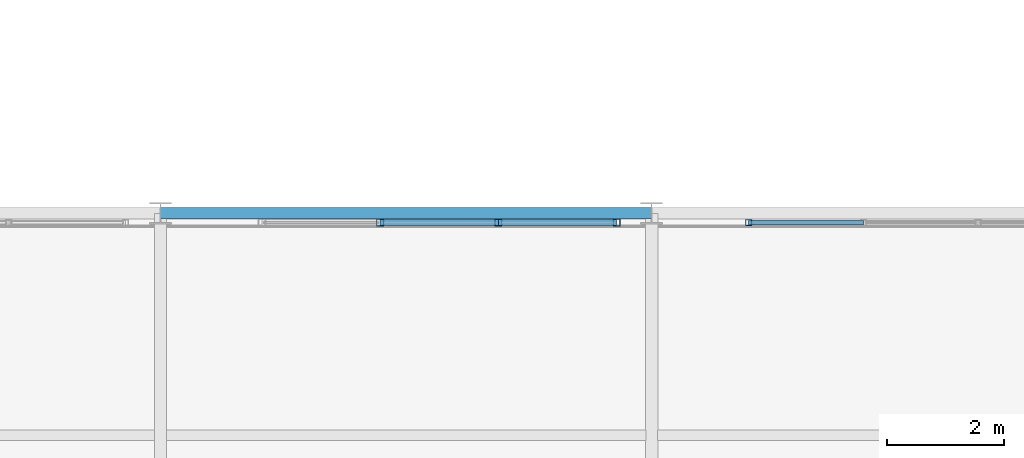
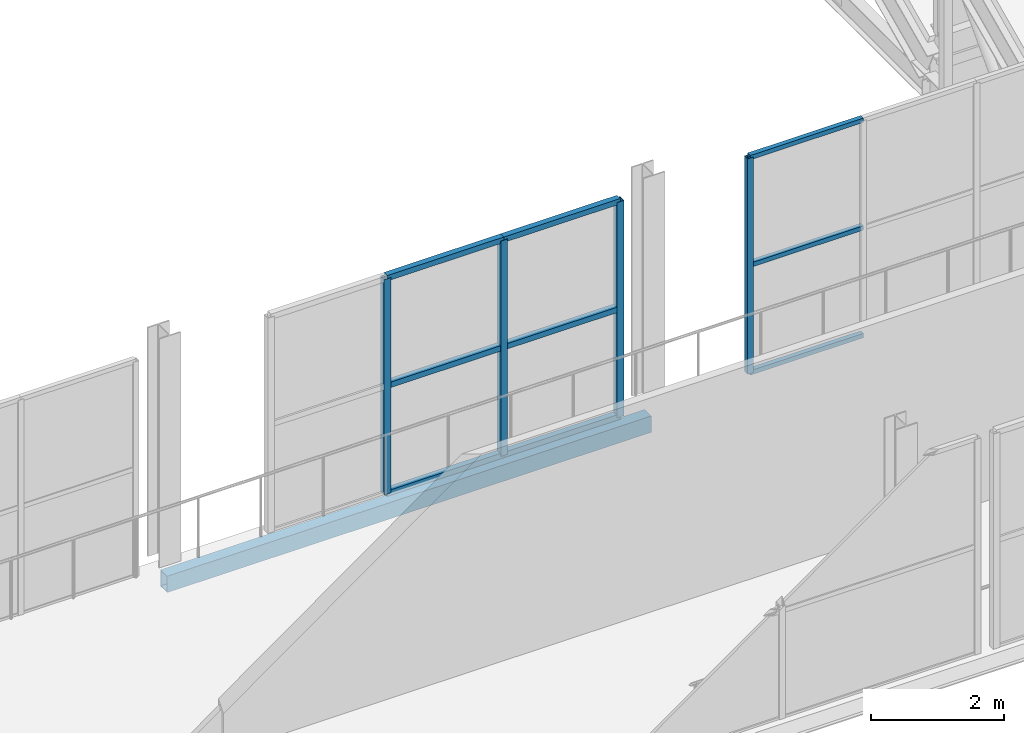
# One storey, part 64 of 217: 13 members, 1 beam, 2 elements without a shape of their own.
"""IFC4 building model written with IfcOpenShell, lengths in metres."""

from ifc_helpers import new_model, si_unit, direction, frame, origin, origin_2d, place, context, subcontext, project, spatial, hollow_rectangle, extrude, material, material_profile, profile_set, type_object, element, aggregate, save


model = new_model("IFC4")

# Units and contexts
model_context = context("Model", 3, precision=1e-05, world=origin(), true_north=direction((0.0, 1.0)))
body_context = subcontext(model_context, "Body", "Model", "MODEL_VIEW")
ifc_project = project(units=[si_unit("LENGTHUNIT", "METRE"), si_unit("AREAUNIT", "SQUARE_METRE"), si_unit("VOLUMEUNIT", "CUBIC_METRE"), si_unit("PLANEANGLEUNIT", "RADIAN"), si_unit("MASSUNIT", "GRAM", prefix="KILO")], contexts=[model_context])

# Site, building, storey
site_placement = place(None, origin())
site = spatial("IfcSite", under=ifc_project, at=site_placement, CompositionType="ELEMENT")
building_placement = place(site_placement, origin())
building = spatial("IfcBuilding", under=site, at=building_placement, Name="Zuvorla Pavilion Media Centre", CompositionType="ELEMENT")
storey_placement = place(building_placement, frame((0.0, 0.0, 9.60009765625)))
storey = spatial("IfcBuildingStorey", under=building, at=storey_placement, Name="L02", CompositionType="ELEMENT", Elevation=9.60009765625)

# Beam
ifc_material_1 = material(Name="Steel S355", Category="steel")
ifc_material_profile_1 = material_profile(ifc_material_1, hollow_rectangle(XDim=0.199951171875, YDim=0.300048828125, WallThickness=0.012451171875, at=origin_2d()), Name="RHS 300x200x12.5")
ifc_profile_set_1 = profile_set([ifc_material_profile_1], Name="Steel S355")
beam_type = type_object("IfcBeamType", Name="BM-SP-RHS300", PredefinedType="SPANDREL", material=ifc_profile_set_1)
beam_placement = place(storey_placement, frame((50.0, 89.60009765625, -0.418212890625), z_axis=(1.0, 0.0, 0.0), x_axis=(0.0, 1.0, 0.0)))
element("IfcBeam", 1, at=beam_placement, inside=storey, type_object=beam_type, Name="L02 spandrel SP01 879", PredefinedType="SPANDREL", context=body_context, shape_type="SweptSolid", body=[
    extrude(hollow_rectangle(XDim=0.199951171875, YDim=0.300048828125, WallThickness=0.012451171875, at=origin_2d()), origin(), (0.0, 0.0, 1.0), 8.39990234375),
])

# Curtain wall, member
ifc_material_2 = material(Name="Unitised anodised aluminium and solar glass curtain wall", Category="aluminium")
curtain_wall_type_1 = type_object("IfcCurtainWallType", Name="CW-SYS-17", PredefinedType="USERDEFINED", material=ifc_material_2)
curtain_wall_1_placement = place(storey_placement, origin())
curtain_wall_1 = element("IfcCurtainWall", 2, at=curtain_wall_1_placement, inside=storey, type_object=curtain_wall_type_1, Name="L02 curtain wall CW17 22", ObjectType="CURTAIN WALL", PredefinedType="USERDEFINED")
ifc_material_3 = material(Name="Anodised aluminium 6063-T6", Category="aluminium")
ifc_material_profile_2 = material_profile(ifc_material_3, hollow_rectangle(XDim=0.10009765625, YDim=0.10009765625, WallThickness=0.00439453125, at=origin_2d()), Name="ALU MULL 100x100")
ifc_profile_set_2 = profile_set([ifc_material_profile_2], Name="Anodised aluminium 6063-T6")
member_type_1 = type_object("IfcMemberType", Name="CW-MULL-100", PredefinedType="MULLION", material=ifc_profile_set_2)
member_1_placement = place(storey_placement, frame((60.06005859375, 89.43994140625, 0.0), z_axis=(0.0, 0.0, 1.0), x_axis=(1.0, 0.0, 0.0)))
member_1 = element("IfcMember", 3, at=member_1_placement, type_object=member_type_1, Name="CW17 mullion 4", PredefinedType="MULLION", context=body_context, shape_type="SweptSolid", body=[
    extrude(hollow_rectangle(XDim=0.10009765625, YDim=0.10009765625, WallThickness=0.00439453125, at=origin_2d()), origin(), (0.0, 0.0, 1.0), 3.949951171875),
])

# Curtain wall, members
curtain_wall_type_2 = type_object("IfcCurtainWallType", Name="CW-SYS-15", PredefinedType="USERDEFINED", material=ifc_material_2)
curtain_wall_2_placement = place(storey_placement, origin())
curtain_wall_2 = element("IfcCurtainWall", 4, at=curtain_wall_2_placement, inside=storey, type_object=curtain_wall_type_2, Name="L02 curtain wall CW15 23", ObjectType="CURTAIN WALL", PredefinedType="USERDEFINED")
ifc_material_profile_3 = material_profile(ifc_material_3, hollow_rectangle(XDim=0.1201171875, YDim=0.1201171875, WallThickness=0.0048828125, at=origin_2d()), Name="ALU MULL 120x120")
ifc_profile_set_3 = profile_set([ifc_material_profile_3], Name="Anodised aluminium 6063-T6")
member_type_2 = type_object("IfcMemberType", Name="CW-MULL-120", PredefinedType="MULLION", material=ifc_profile_set_3)
member_2_placement = place(storey_placement, frame((57.7998046875, 89.43994140625, 0.0), z_axis=(0.0, 0.0, 1.0), x_axis=(1.0, 0.0, 0.0)))
member_2 = element("IfcMember", 5, at=member_2_placement, type_object=member_type_2, Name="CW15 mullion 1", PredefinedType="MULLION", context=body_context, shape_type="SweptSolid", body=[
    extrude(hollow_rectangle(XDim=0.1201171875, YDim=0.1201171875, WallThickness=0.0048828125, at=origin_2d()), origin(), (0.0, 0.0, 1.0), 3.949951171875),
])
member_3_placement = place(storey_placement, frame((55.7783203125, 89.43994140625, 0.0), z_axis=(0.0, 0.0, 1.0), x_axis=(1.0, 0.0, 0.0)))
member_3 = element("IfcMember", 6, at=member_3_placement, type_object=member_type_2, Name="CW15 mullion 2", PredefinedType="MULLION", context=body_context, shape_type="SweptSolid", body=[
    extrude(hollow_rectangle(XDim=0.1201171875, YDim=0.1201171875, WallThickness=0.0048828125, at=origin_2d()), origin(), (0.0, 0.0, 1.0), 3.949951171875),
])
member_4_placement = place(storey_placement, frame((53.756591796875, 89.43994140625, 0.0), z_axis=(0.0, 0.0, 1.0), x_axis=(1.0, 0.0, 0.0)))
member_4 = element("IfcMember", 7, at=member_4_placement, type_object=member_type_2, Name="CW15 mullion 3", PredefinedType="MULLION", context=body_context, shape_type="SweptSolid", body=[
    extrude(hollow_rectangle(XDim=0.1201171875, YDim=0.1201171875, WallThickness=0.0048828125, at=origin_2d()), origin(), (0.0, 0.0, 1.0), 3.949951171875),
])
ifc_material_profile_4 = material_profile(ifc_material_3, hollow_rectangle(XDim=0.10009765625, YDim=0.10009765625, WallThickness=0.00439453125, at=origin_2d()), Name="ALU TRAN 100x100")
ifc_profile_set_4 = profile_set([ifc_material_profile_4], Name="Anodised aluminium 6063-T6")
member_type_3 = type_object("IfcMemberType", Name="CW-TRAN-100", PredefinedType="USERDEFINED", material=ifc_profile_set_4)
member_5_placement = place(storey_placement, frame((57.7998046875, 89.43994140625, 0.0), z_axis=(-1.0, 0.0, 0.0), x_axis=(0.0, -1.0, 0.0)))
member_5 = element("IfcMember", 8, at=member_5_placement, type_object=member_type_3, Name="CW15 transom 1.1", ObjectType="TRANSOM", PredefinedType="USERDEFINED", context=body_context, shape_type="SweptSolid", body=[
    extrude(hollow_rectangle(XDim=0.10009765625, YDim=0.10009765625, WallThickness=0.00439453125, at=origin_2d()), origin(), (0.0, 0.0, 1.0), 2.021484375),
])
member_6_placement = place(storey_placement, frame((57.7998046875, 89.43994140625, 1.974853515625), z_axis=(-1.0, 0.0, 0.0), x_axis=(0.0, -1.0, 0.0)))
member_6 = element("IfcMember", 9, at=member_6_placement, type_object=member_type_3, Name="CW15 transom 1.2", ObjectType="TRANSOM", PredefinedType="USERDEFINED", context=body_context, shape_type="SweptSolid", body=[
    extrude(hollow_rectangle(XDim=0.10009765625, YDim=0.10009765625, WallThickness=0.00439453125, at=origin_2d()), origin(), (0.0, 0.0, 1.0), 2.021484375),
])
member_7_placement = place(storey_placement, frame((57.7998046875, 89.43994140625, 3.949951171875), z_axis=(-1.0, 0.0, 0.0), x_axis=(0.0, -1.0, 0.0)))
member_7 = element("IfcMember", 10, at=member_7_placement, type_object=member_type_3, Name="CW15 transom 1.3", ObjectType="TRANSOM", PredefinedType="USERDEFINED", context=body_context, shape_type="SweptSolid", body=[
    extrude(hollow_rectangle(XDim=0.10009765625, YDim=0.10009765625, WallThickness=0.00439453125, at=origin_2d()), origin(), (0.0, 0.0, 1.0), 2.021484375),
])
member_8_placement = place(storey_placement, frame((55.7783203125, 89.43994140625, 0.0), z_axis=(-1.0, 0.0, 0.0), x_axis=(0.0, -1.0, 0.0)))
member_8 = element("IfcMember", 11, at=member_8_placement, type_object=member_type_3, Name="CW15 transom 2.1", ObjectType="TRANSOM", PredefinedType="USERDEFINED", context=body_context, shape_type="SweptSolid", body=[
    extrude(hollow_rectangle(XDim=0.10009765625, YDim=0.10009765625, WallThickness=0.00439453125, at=origin_2d()), origin(), (0.0, 0.0, 1.0), 2.021728515625),
])
member_9_placement = place(storey_placement, frame((55.7783203125, 89.43994140625, 1.974853515625), z_axis=(-1.0, 0.0, 0.0), x_axis=(0.0, -1.0, 0.0)))
member_9 = element("IfcMember", 12, at=member_9_placement, type_object=member_type_3, Name="CW15 transom 2.2", ObjectType="TRANSOM", PredefinedType="USERDEFINED", context=body_context, shape_type="SweptSolid", body=[
    extrude(hollow_rectangle(XDim=0.10009765625, YDim=0.10009765625, WallThickness=0.00439453125, at=origin_2d()), origin(), (0.0, 0.0, 1.0), 2.021728515625),
])
member_10_placement = place(storey_placement, frame((55.7783203125, 89.43994140625, 3.949951171875), z_axis=(-1.0, 0.0, 0.0), x_axis=(0.0, -1.0, 0.0)))
member_10 = element("IfcMember", 13, at=member_10_placement, type_object=member_type_3, Name="CW15 transom 2.3", ObjectType="TRANSOM", PredefinedType="USERDEFINED", context=body_context, shape_type="SweptSolid", body=[
    extrude(hollow_rectangle(XDim=0.10009765625, YDim=0.10009765625, WallThickness=0.00439453125, at=origin_2d()), origin(), (0.0, 0.0, 1.0), 2.021728515625),
])
aggregate(curtain_wall_2, [member_2, member_3, member_4, member_5, member_6, member_7, member_8, member_9, member_10])

# Member
ifc_material_profile_5 = material_profile(ifc_material_3, hollow_rectangle(XDim=0.080078125, YDim=0.080078125, WallThickness=0.00390625, at=origin_2d()), Name="ALU TRAN 80x80")
ifc_profile_set_5 = profile_set([ifc_material_profile_5], Name="Anodised aluminium 6063-T6")
member_type_4 = type_object("IfcMemberType", Name="CW-TRAN-80", PredefinedType="USERDEFINED", material=ifc_profile_set_5)
member_11_placement = place(storey_placement, frame((62.023193359375, 89.43994140625, 0.0), z_axis=(-1.0, 0.0, 0.0), x_axis=(0.0, -1.0, 0.0)))
member_11 = element("IfcMember", 14, at=member_11_placement, type_object=member_type_4, Name="CW17 transom 3.1", ObjectType="TRANSOM", PredefinedType="USERDEFINED", context=body_context, shape_type="SweptSolid", body=[
    extrude(hollow_rectangle(XDim=0.080078125, YDim=0.080078125, WallThickness=0.00390625, at=origin_2d()), origin(), (0.0, 0.0, 1.0), 1.963134765625),
])

member_12_placement = place(storey_placement, frame((62.023193359375, 89.43994140625, 1.974853515625), z_axis=(-1.0, 0.0, 0.0), x_axis=(0.0, -1.0, 0.0)))
member_12 = element("IfcMember", 15, at=member_12_placement, type_object=member_type_4, Name="CW17 transom 3.2", ObjectType="TRANSOM", PredefinedType="USERDEFINED", context=body_context, shape_type="SweptSolid", body=[
    extrude(hollow_rectangle(XDim=0.080078125, YDim=0.080078125, WallThickness=0.00390625, at=origin_2d()), origin(), (0.0, 0.0, 1.0), 1.963134765625),
])

member_13_placement = place(storey_placement, frame((62.023193359375, 89.43994140625, 3.949951171875), z_axis=(-1.0, 0.0, 0.0), x_axis=(0.0, -1.0, 0.0)))
member_13 = element("IfcMember", 16, at=member_13_placement, type_object=member_type_4, Name="CW17 transom 3.3", ObjectType="TRANSOM", PredefinedType="USERDEFINED", context=body_context, shape_type="SweptSolid", body=[
    extrude(hollow_rectangle(XDim=0.080078125, YDim=0.080078125, WallThickness=0.00390625, at=origin_2d()), origin(), (0.0, 0.0, 1.0), 1.963134765625),
])

aggregate(curtain_wall_1, [member_1, member_11, member_12, member_13])

save(model, "model.ifc")
